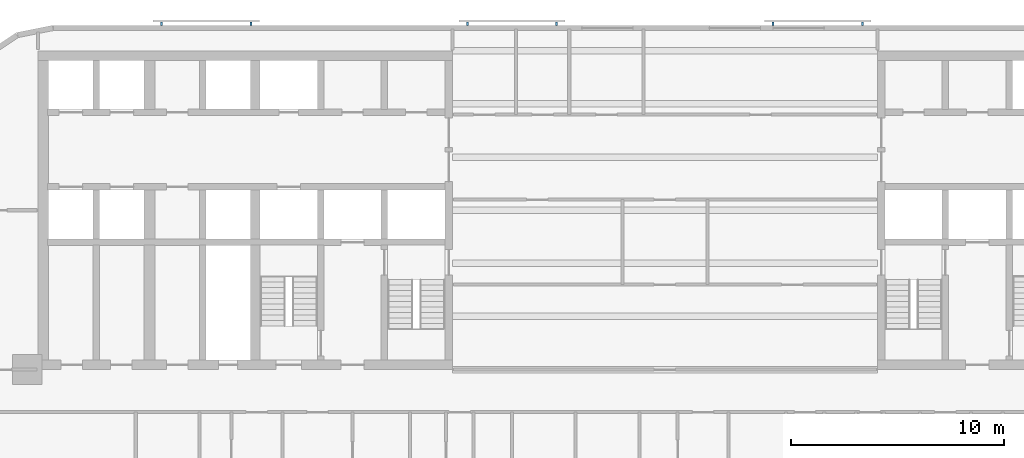
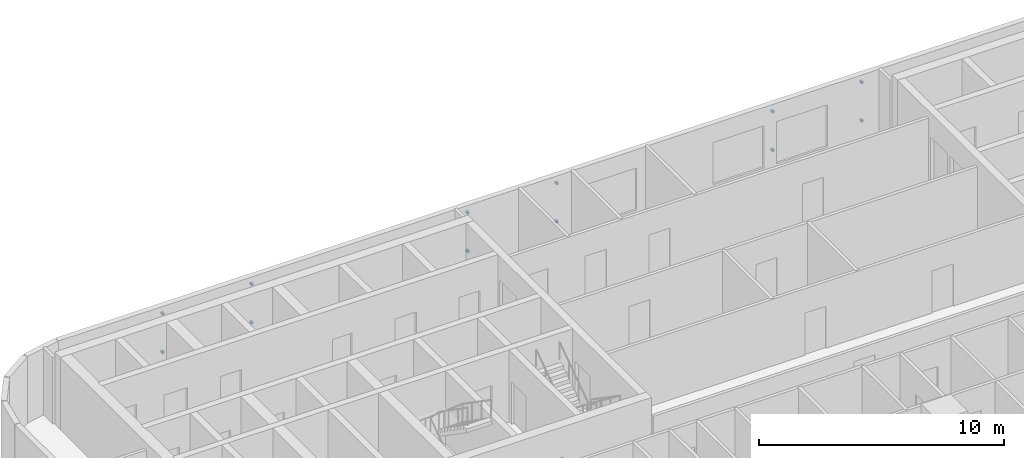
# One storey, part 10 of 14: 12 discrete accessories.
"""IFC4 building model written with IfcOpenShell, lengths in metres."""

import ifcopenshell
import ifcopenshell.guid

model = None  # the IFC model being written
_history = None  # IfcOwnerHistory: only IFC2X3 demands one
_inside = {}  # id of a spatial element -> (the spatial element, [elements in it])
_under = {}  # id of a project, library or spatial element -> (it, [spatial elements below it])
_declared = {}  # id of a project -> (the project, [libraries it declares])
_typed = {}  # id of a type object -> (the type object, [elements of that type])
_made_of = {}  # id of a material, layer set ... -> (it, [elements and type objects made of it])


def new_model(schema):
    """Start an empty IFC model of exactly this schema.

    Asked for "IFC4X3", IfcOpenShell would pick the latest addendum, in which some entities
    have other attributes; the version numbers below select the first issue.
    IFC2X3 requires an IfcOwnerHistory on every rooted entity: one is made here for all.
    """
    global model, _history
    if schema == "IFC4X3":
        model = ifcopenshell.file(schema_version=(4, 3, 0, 0))
    else:
        model = ifcopenshell.file(schema=schema)
    _inside.clear()
    _under.clear()
    _declared.clear()
    _typed.clear()
    _made_of.clear()
    _history = None
    if model.schema == "IFC2X3":
        org = make("IfcOrganization", Name="unknown")
        user = make(
            "IfcPersonAndOrganization",
            ThePerson=make("IfcPerson", FamilyName="unknown"),
            TheOrganization=org,
        )
        app = make(
            "IfcApplication",
            ApplicationDeveloper=org,
            Version="unknown",
            ApplicationFullName="unknown",
            ApplicationIdentifier="unknown",
        )
        _history = make(
            "IfcOwnerHistory",
            OwningUser=user,
            OwningApplication=app,
            ChangeAction="ADDED",
            CreationDate=0,
        )
    return model


def make(cls, **values):
    """One entity of the class cls with the attributes given. An attribute that is None is left unset."""
    return model.create_entity(
        cls, **{name: value for name, value in values.items() if value is not None}
    )


def rooted(cls, **values):
    """An entity with a GlobalId (a new one), such as an element, a storey or a relation."""
    return make(cls, GlobalId=ifcopenshell.guid.new(), OwnerHistory=_history, **values)


def si_unit(unit_type, name, prefix=None):
    """IfcSIUnit, for example si_unit("LENGTHUNIT", "METRE", prefix="MILLI")."""
    return make("IfcSIUnit", UnitType=unit_type, Prefix=prefix, Name=name)


def assignment(units):
    """IfcUnitAssignment: the units of a project."""
    return None if units is None else make("IfcUnitAssignment", Units=units)


def point(xyz):
    """IfcCartesianPoint."""
    return None if xyz is None else make("IfcCartesianPoint", Coordinates=xyz)


def direction(xyz):
    """IfcDirection."""
    return None if xyz is None else make("IfcDirection", DirectionRatios=xyz)


def frame(location, z_axis=None, x_axis=None):
    """IfcAxis2Placement3D, a coordinate frame: its origin and axes. An axis left out is left unset."""
    return make(
        "IfcAxis2Placement3D",
        Location=point(location),
        Axis=direction(z_axis),
        RefDirection=direction(x_axis),
    )


def frame_2d(location, x_axis=None):
    """IfcAxis2Placement2D, a coordinate frame in the plane: its origin and x axis."""
    return make(
        "IfcAxis2Placement2D", Location=point(location), RefDirection=direction(x_axis)
    )


def origin():
    """The frame at (0, 0, 0) with its axes left unset."""
    return frame((0.0, 0.0, 0.0))


def origin_2d():
    """The frame at (0, 0) in the plane with its x axis left unset."""
    return frame_2d((0.0, 0.0))


def place(relative_to, where):
    """IfcLocalPlacement: puts the frame where relative to a parent placement (None: the world)."""
    return make(
        "IfcLocalPlacement", PlacementRelTo=relative_to, RelativePlacement=where
    )


def context(
    kind, dimensions, precision=None, world=None, true_north=None, identifier=None
):
    """IfcGeometricRepresentationContext, for example the 3D "Model" context."""
    return make(
        "IfcGeometricRepresentationContext",
        ContextIdentifier=identifier,
        ContextType=kind,
        CoordinateSpaceDimension=dimensions,
        Precision=precision,
        WorldCoordinateSystem=world,
        TrueNorth=true_north,
    )


def subcontext(parent, identifier, kind, view, scale=None):
    """IfcGeometricRepresentationSubContext, for example "Body" below "Model"."""
    return make(
        "IfcGeometricRepresentationSubContext",
        ContextIdentifier=identifier,
        ContextType=kind,
        ParentContext=parent,
        TargetScale=scale,
        TargetView=view,
    )


def project(units=None, contexts=None):
    """IfcProject with its units and contexts."""
    return rooted(
        "IfcProject",
        Name="project",
        RepresentationContexts=contexts,
        UnitsInContext=assignment(units),
    )


def spatial(cls, under=None, at=None, **own):
    """A site, building, storey or space (cls), placed at a placement, below another one or the project."""
    s = rooted(cls, ObjectPlacement=at, **own)
    if under is not None:
        _under.setdefault(under.id(), (under, []))[1].append(s)
    return s


def profile(cls, at=None, kind="AREA", **sizes):
    """A parametric profile (cls). Its sizes go by their IFC names, for example OverallWidth=200.0."""
    return make(cls, ProfileType=kind, Position=at, **sizes)


def rectangle(**sizes):
    """IfcRectangleProfileDef."""
    return profile("IfcRectangleProfileDef", **sizes)


def extrude(swept, where, along, depth):
    """IfcExtrudedAreaSolid: the profile swept, set in the frame where, extruded along a direction by depth."""
    return make(
        "IfcExtrudedAreaSolid",
        SweptArea=swept,
        Position=where,
        ExtrudedDirection=direction(along),
        Depth=depth,
    )


def shape(context_of_items, identifier, shape_type, items):
    """IfcShapeRepresentation: the items that make up one representation, for example the "Body"."""
    return make(
        "IfcShapeRepresentation",
        ContextOfItems=context_of_items,
        RepresentationIdentifier=identifier,
        RepresentationType=shape_type,
        Items=items,
    )


def material(Name=None, Category=None):
    """IfcMaterial."""
    return make("IfcMaterial", Name=Name, Category=Category)


def made_of(thing, what):
    """Note that an element or type object is made of a material, layer set ...; save() writes the relation."""
    if what is not None:
        _made_of.setdefault(what.id(), (what, []))[1].append(thing)
    return thing


def type_object(cls, material=None, **own):
    """A type object (cls), such as IfcWallType, which elements share."""
    return made_of(rooted(cls, **own), material)


def element(
    cls,
    number,
    at=None,
    inside=None,
    cuts=None,
    type_object=None,
    material=None,
    context=None,
    identifier="Body",
    shape_type=None,
    held_by="IfcProductDefinitionShape",
    body=None,
    shapes=None,
    **own,
):
    """One element of the class cls, such as IfcWall. Its Tag is "e" and its number.

    at: its placement. inside: the storey or other place that contains it. cuts: it is an
    opening in that element (IfcRelVoidsElement). A single representation is given by context,
    identifier, shape_type and body (its items); several are given by shapes. held_by: the class
    of the entity that holds the representations. save() writes the other relations.
    """
    e = rooted(cls, Tag="e%d" % number, ObjectPlacement=at, **own)
    if body is not None:
        shapes = [shape(context, identifier, shape_type, body)]
    if shapes is not None:
        e.Representation = make(held_by, Representations=shapes)
    if inside is not None:
        _inside.setdefault(inside.id(), (inside, []))[1].append(e)
    if cuts is not None:
        rooted(
            "IfcRelVoidsElement", RelatingBuildingElement=cuts, RelatedOpeningElement=e
        )
    if type_object is not None:
        _typed.setdefault(type_object.id(), (type_object, []))[1].append(e)
    return made_of(e, material)


def aggregate(whole, parts):
    """IfcRelAggregates: a whole, such as a stair, and the parts it consists of."""
    return rooted("IfcRelAggregates", RelatingObject=whole, RelatedObjects=parts)


def save(model, path):
    """Write the relations noted so far, then the file.

    IfcRelAggregates (storeys below a building ...), IfcRelContainedInSpatialStructure (elements
    in a storey), IfcRelDefinesByType, IfcRelAssociatesMaterial and IfcRelDeclares: one each for
    every whole, place, type object, material and project.
    """
    for whole, parts in _under.values():
        aggregate(whole, parts)
    for where, things in _inside.values():
        rooted(
            "IfcRelContainedInSpatialStructure",
            RelatedElements=things,
            RelatingStructure=where,
        )
    for kind, things in _typed.values():
        rooted("IfcRelDefinesByType", RelatedObjects=things, RelatingType=kind)
    for what, things in _made_of.values():
        rooted("IfcRelAssociatesMaterial", RelatedObjects=things, RelatingMaterial=what)
    for by, libraries in _declared.values():
        rooted("IfcRelDeclares", RelatingContext=by, RelatedDefinitions=libraries)
    model.write(path)


model = new_model("IFC4")

# Units and contexts
model_context = context("Model", 3, precision=1e-05, world=origin(), true_north=direction((0.0, 1.0)))
body_context = subcontext(model_context, "Body", "Model", "MODEL_VIEW")
ifc_project = project(units=[si_unit("LENGTHUNIT", "METRE"), si_unit("AREAUNIT", "SQUARE_METRE"), si_unit("VOLUMEUNIT", "CUBIC_METRE"), si_unit("PLANEANGLEUNIT", "RADIAN"), si_unit("MASSUNIT", "GRAM", prefix="KILO")], contexts=[model_context])

# Site, building, storey
site_placement = place(None, origin())
site = spatial("IfcSite", under=ifc_project, at=site_placement, CompositionType="ELEMENT")
building_placement = place(site_placement, origin())
building = spatial("IfcBuilding", under=site, at=building_placement, Name="Torana Hotel and Residences", CompositionType="ELEMENT")
storey_placement = place(building_placement, frame((0.0, 0.0, 96.0)))
storey = spatial("IfcBuildingStorey", under=building, at=storey_placement, Name="L24", CompositionType="ELEMENT", Elevation=96.0)

# Discrete accessories
ifc_material = material(Name="Steel S355", Category="steel")
discrete_accessory_type = type_object("IfcDiscreteAccessoryType", Name="SCREEN BRACKET 100", PredefinedType="BRACKET", material=ifc_material)
for number, where, z_axis, x_axis, name in (
    (1, (9.293701171875, 1.27490234375, 0.75), (0.0, 0.0, 1.0), (-1.0, 0.0, 0.0), "Screen bracket L24"),
    (2, (9.293701171875, 1.27490234375, 2.669921875), (0.0, 0.0, 1.0), (-1.0, 0.0, 0.0), "Screen bracket L24"),
    (3, (5.09375, 1.27490234375, 0.75), (0.0, 0.0, 1.0), (-1.0, 0.0, 0.0), "Screen bracket L24"),
    (4, (5.09375, 1.27490234375, 2.669921875), (0.0, 0.0, 1.0), (-1.0, 0.0, 0.0), "Screen bracket L24"),
    (5, (-5.09375, 1.27490234375, 0.75), (0.0, 0.0, 1.0), (-1.0, 0.0, 0.0), "Screen bracket L24"),
    (6, (-5.09375, 1.27490234375, 2.669921875), (0.0, 0.0, 1.0), (-1.0, 0.0, 0.0), "Screen bracket L24"),
    (7, (-9.293701171875, 1.27490234375, 0.75), (0.0, 0.0, 1.0), (-1.0, 0.0, 0.0), "Screen bracket L24"),
    (8, (-9.293701171875, 1.27490234375, 2.669921875), (0.0, 0.0, 1.0), (-1.0, 0.0, 0.0), "Screen bracket L24"),
    (9, (-19.4814453125, 1.27490234375, 0.75), (0.0, 0.0, 1.0), (-1.0, 0.0, 0.0), "Screen bracket L24"),
    (10, (-19.4814453125, 1.27490234375, 2.669921875), (0.0, 0.0, 1.0), (-1.0, 0.0, 0.0), "Screen bracket L24"),
    (11, (-23.681396484375, 1.27490234375, 0.75), (0.0, 0.0, 1.0), (-1.0, 0.0, 0.0), "Screen bracket L24"),
    (12, (-23.681396484375, 1.27490234375, 2.669921875), (0.0, 0.0, 1.0), (-1.0, 0.0, 0.0), "Screen bracket L24"),
):
    element("IfcDiscreteAccessory", number, at=place(storey_placement, frame(where, z_axis=z_axis, x_axis=x_axis)), inside=storey, type_object=discrete_accessory_type, Name=name, PredefinedType="BRACKET", context=body_context, shape_type="SweptSolid", body=[
        extrude(rectangle(XDim=0.10009765625, YDim=0.14990234375, at=origin_2d()), origin(), (0.0, 0.0, 1.0), 0.10009765625),
    ])

save(model, "model.ifc")
